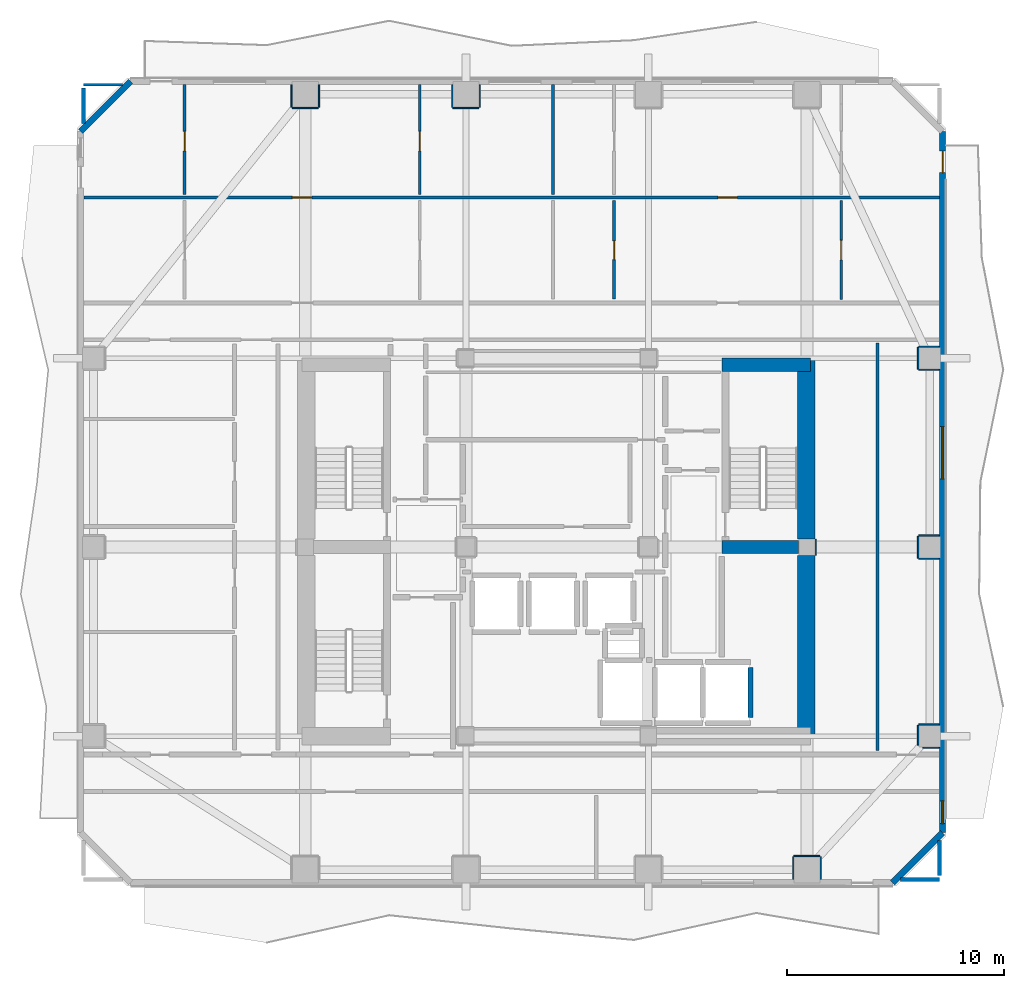
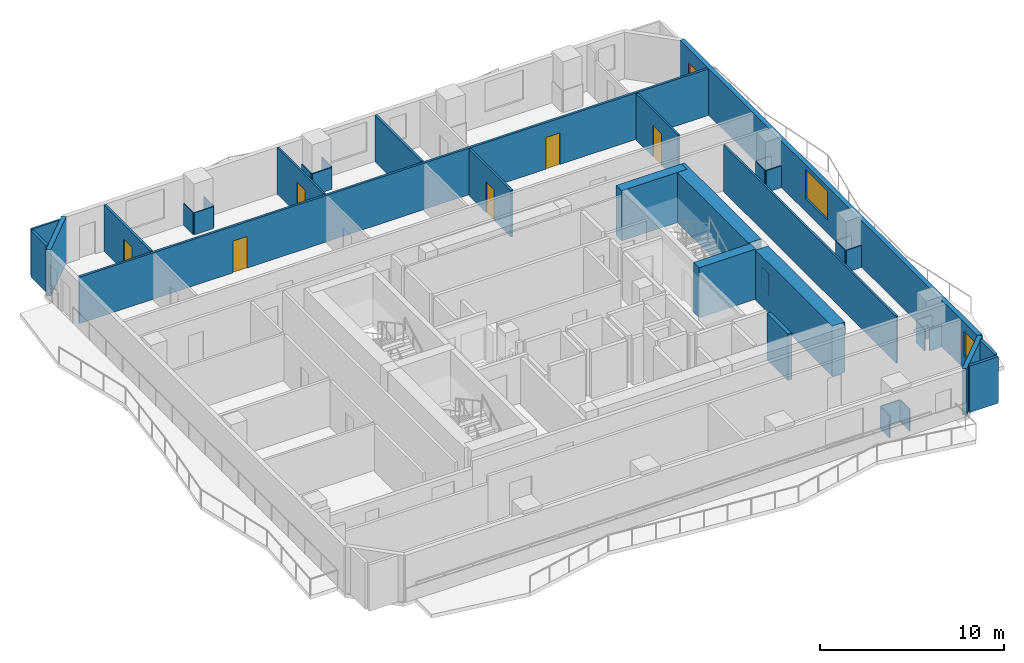
# One storey, part 5 of 10: 38 walls, 7 doors, 2 windows, 9 openings.
"""IFC4 building model written with IfcOpenShell, lengths in metres."""

from ifc_helpers import new_model, si_unit, direction, frame, frame_2d, origin, place, context, subcontext, project, spatial, rectangle, extrude, material, layer, layer_set, type_object, element, fill, save


model = new_model("IFC4")

# Units and contexts
model_context = context("Model", 3, precision=1e-05, world=origin(), true_north=direction((0.0, 1.0)))
body_context = subcontext(model_context, "Body", "Model", "MODEL_VIEW")
ifc_project = project(units=[si_unit("LENGTHUNIT", "METRE"), si_unit("AREAUNIT", "SQUARE_METRE"), si_unit("VOLUMEUNIT", "CUBIC_METRE"), si_unit("PLANEANGLEUNIT", "RADIAN"), si_unit("MASSUNIT", "GRAM", prefix="KILO")], contexts=[model_context])

# Site, building, storey
site_placement = place(None, origin())
site = spatial("IfcSite", under=ifc_project, at=site_placement, CompositionType="ELEMENT")
building_placement = place(site_placement, origin())
building = spatial("IfcBuilding", under=site, at=building_placement, Name="Solanera Arch Residences", CompositionType="ELEMENT")
storey_placement = place(building_placement, frame((0.0, 0.0, 176.8798828125)))
storey = spatial("IfcBuildingStorey", under=building, at=storey_placement, Name="L51", CompositionType="ELEMENT", Elevation=176.8798828125)

# Walls
ifc_material_1 = material(Name="Fire-Rated Gypsum Stud Partition", Category="gypsum")
ifc_layer_1 = layer(ifc_material_1, 0.06005859375)
ifc_layer_set_1 = layer_set([ifc_layer_1], Name="Fire-Rated Gypsum Stud Partition")
wall_type_1 = type_object("IfcWallType", Name="Column Acoustic Furring Wall 60", PredefinedType="PARTITIONING", material=ifc_layer_set_1)
wall_1_placement = place(storey_placement, frame((36.906982421875, 30.324951171875, 0.0), z_axis=(0.0, 0.0, 1.0), x_axis=(0.0, 1.0, 0.0)))
element("IfcWall", 1, at=wall_1_placement, inside=storey, type_object=wall_type_1, Name="L51 Column Furring 6E", PredefinedType="PARTITIONING", context=body_context, shape_type="SweptSolid", body=[
    extrude(rectangle(XDim=0.75, YDim=0.06005859375, at=frame_2d((0.375, 0.0))), origin(), (0.0, 0.0, 1.0), 1.4501953125),
])
wall_2_placement = place(storey_placement, frame((12.800048828125, 50.91796875, 0.0), z_axis=(0.0, 0.0, 1.0), x_axis=(1.0, 0.0, 0.0)))
element("IfcWall", 2, at=wall_2_placement, inside=storey, type_object=wall_type_1, Name="L51 Column Furring 10S", PredefinedType="PARTITIONING", context=body_context, shape_type="SweptSolid", body=[
    extrude(rectangle(XDim=1.199951171875, YDim=0.06005859375, at=frame_2d((0.60009765625, 0.0))), origin(), (0.0, 0.0, 1.0), 1.4501953125),
])
for number, where, z_axis, x_axis, name in (
    (3, (12.76806640625, 50.949951171875, 0.0), (0.0, 0.0, 1.0), (0.0, 1.0, 0.0), "L51 Column Furring 10W"),
    (4, (14.031982421875, 50.949951171875, 0.0), (0.0, 0.0, 1.0), (0.0, 1.0, 0.0), "L51 Column Furring 10E"),
):
    element("IfcWall", number, at=place(storey_placement, frame(where, z_axis=z_axis, x_axis=x_axis)), inside=storey, type_object=wall_type_1, Name=name, PredefinedType="PARTITIONING", context=body_context, shape_type="SweptSolid", body=[
        extrude(rectangle(XDim=1.0400390625, YDim=0.06005859375, at=frame_2d((0.52001953125, 0.0))), origin(), (0.0, 0.0, 1.0), 1.4501953125),
    ])
wall_3_placement = place(storey_placement, frame((20.199951171875, 50.91796875, 0.0), z_axis=(0.0, 0.0, 1.0), x_axis=(1.0, 0.0, 0.0)))
element("IfcWall", 5, at=wall_3_placement, inside=storey, type_object=wall_type_1, Name="L51 Column Furring 12S", PredefinedType="PARTITIONING", context=body_context, shape_type="SweptSolid", body=[
    extrude(rectangle(XDim=1.199951171875, YDim=0.06005859375, at=frame_2d((0.60009765625, 0.0))), origin(), (0.0, 0.0, 1.0), 1.4501953125),
])
for number, where, z_axis, x_axis, name in (
    (6, (20.16796875, 50.949951171875, 0.0), (0.0, 0.0, 1.0), (0.0, 1.0, 0.0), "L51 Column Furring 12W"),
    (7, (21.431884765625, 50.949951171875, 0.0), (0.0, 0.0, 1.0), (0.0, 1.0, 0.0), "L51 Column Furring 12E"),
):
    element("IfcWall", number, at=place(storey_placement, frame(where, z_axis=z_axis, x_axis=x_axis)), inside=storey, type_object=wall_type_1, Name=name, PredefinedType="PARTITIONING", context=body_context, shape_type="SweptSolid", body=[
        extrude(rectangle(XDim=1.0400390625, YDim=0.06005859375, at=frame_2d((0.52001953125, 0.0))), origin(), (0.0, 0.0, 1.0), 1.4501953125),
    ])
wall_4_placement = place(storey_placement, frame((35.89990234375, 16.48193359375, 0.0), z_axis=(0.0, 0.0, 1.0), x_axis=(1.0, 0.0, 0.0)))
element("IfcWall", 8, at=wall_4_placement, inside=storey, type_object=wall_type_1, Name="L51 Column Furring 15N", PredefinedType="PARTITIONING", context=body_context, shape_type="SweptSolid", body=[
    extrude(rectangle(XDim=1.2001953125, YDim=0.06005859375, at=frame_2d((0.60009765625, 0.0))), origin(), (0.0, 0.0, 1.0), 1.4501953125),
])
for number, where, z_axis, x_axis, name in (
    (9, (35.867919921875, 15.409912109375, 0.0), (0.0, 0.0, 1.0), (0.0, 1.0, 0.0), "L51 Column Furring 15W"),
    (10, (37.132080078125, 15.409912109375, 0.0), (0.0, 0.0, 1.0), (0.0, 1.0, 0.0), "L51 Column Furring 15E"),
):
    element("IfcWall", number, at=place(storey_placement, frame(where, z_axis=z_axis, x_axis=x_axis)), inside=storey, type_object=wall_type_1, Name=name, PredefinedType="PARTITIONING", context=body_context, shape_type="SweptSolid", body=[
        extrude(rectangle(XDim=1.0400390625, YDim=0.06005859375, at=frame_2d((0.52001953125, 0.0))), origin(), (0.0, 0.0, 1.0), 1.4501953125),
    ])
wall_5_placement = place(storey_placement, frame((41.839111328125, 21.468017578125, 0.0), z_axis=(0.0, 0.0, 1.0), x_axis=(1.0, 0.0, 0.0)))
element("IfcWall", 11, at=wall_5_placement, inside=storey, type_object=wall_type_1, Name="L51 Column Furring 18S", PredefinedType="PARTITIONING", context=body_context, shape_type="SweptSolid", body=[
    extrude(rectangle(XDim=0.7509765625, YDim=0.06005859375, at=frame_2d((0.37548828125, 0.0))), origin(), (0.0, 0.0, 1.0), 1.4501953125),
])
wall_6_placement = place(storey_placement, frame((41.64990234375, 22.531982421875, 0.0), z_axis=(0.0, 0.0, 1.0), x_axis=(1.0, 0.0, 0.0)))
element("IfcWall", 12, at=wall_6_placement, inside=storey, type_object=wall_type_1, Name="L51 Column Furring 18N", PredefinedType="PARTITIONING", context=body_context, shape_type="SweptSolid", body=[
    extrude(rectangle(XDim=0.940185546875, YDim=0.06005859375, at=frame_2d((0.47021484375, 0.0))), origin(), (0.0, 0.0, 1.0), 1.4501953125),
])
wall_7_placement = place(storey_placement, frame((41.617919921875, 21.589111328125, 0.0), z_axis=(0.0, 0.0, 1.0), x_axis=(0.0, 1.0, 0.0)))
element("IfcWall", 13, at=wall_7_placement, inside=storey, type_object=wall_type_1, Name="L51 Column Furring 18W", PredefinedType="PARTITIONING", context=body_context, shape_type="SweptSolid", body=[
    extrude(rectangle(XDim=0.910888671875, YDim=0.06005859375, at=frame_2d((0.45556640625, 0.0))), origin(), (0.0, 0.0, 1.0), 1.4501953125),
])
for number, where, z_axis, x_axis, name in (
    (14, (41.64990234375, 30.16796875, 0.0), (0.0, 0.0, 1.0), (1.0, 0.0, 0.0), "L51 Column Furring 20S"),
    (15, (41.64990234375, 31.23193359375, 0.0), (0.0, 0.0, 1.0), (1.0, 0.0, 0.0), "L51 Column Furring 20N"),
):
    element("IfcWall", number, at=place(storey_placement, frame(where, z_axis=z_axis, x_axis=x_axis)), inside=storey, type_object=wall_type_1, Name=name, PredefinedType="PARTITIONING", context=body_context, shape_type="SweptSolid", body=[
        extrude(rectangle(XDim=0.940185546875, YDim=0.06005859375, at=frame_2d((0.47021484375, 0.0))), origin(), (0.0, 0.0, 1.0), 1.4501953125),
    ])
wall_8_placement = place(storey_placement, frame((41.617919921875, 30.199951171875, 0.0), z_axis=(0.0, 0.0, 1.0), x_axis=(0.0, 1.0, 0.0)))
element("IfcWall", 16, at=wall_8_placement, inside=storey, type_object=wall_type_1, Name="L51 Column Furring 20W", PredefinedType="PARTITIONING", context=body_context, shape_type="SweptSolid", body=[
    extrude(rectangle(XDim=1.0, YDim=0.06005859375, at=frame_2d((0.5, 0.0))), origin(), (0.0, 0.0, 1.0), 1.4501953125),
])
for number, where, z_axis, x_axis, name in (
    (17, (41.64990234375, 38.867919921875, 0.0), (0.0, 0.0, 1.0), (1.0, 0.0, 0.0), "L51 Column Furring 22S"),
    (18, (41.64990234375, 39.931884765625, 0.0), (0.0, 0.0, 1.0), (1.0, 0.0, 0.0), "L51 Column Furring 22N"),
):
    element("IfcWall", number, at=place(storey_placement, frame(where, z_axis=z_axis, x_axis=x_axis)), inside=storey, type_object=wall_type_1, Name=name, PredefinedType="PARTITIONING", context=body_context, shape_type="SweptSolid", body=[
        extrude(rectangle(XDim=0.940185546875, YDim=0.06005859375, at=frame_2d((0.47021484375, 0.0))), origin(), (0.0, 0.0, 1.0), 1.4501953125),
    ])
wall_9_placement = place(storey_placement, frame((41.617919921875, 38.89990234375, 0.0), z_axis=(0.0, 0.0, 1.0), x_axis=(0.0, 1.0, 0.0)))
element("IfcWall", 19, at=wall_9_placement, inside=storey, type_object=wall_type_1, Name="L51 Column Furring 22W", PredefinedType="PARTITIONING", context=body_context, shape_type="SweptSolid", body=[
    extrude(rectangle(XDim=1.0, YDim=0.06005859375, at=frame_2d((0.5, 0.0))), origin(), (0.0, 0.0, 1.0), 1.4501953125),
])
ifc_material_2 = material(Name="Concrete C40/50 (f'c = 45 MPa)", Category="concrete")
ifc_layer_2 = layer(ifc_material_2, 0.60009765625)
ifc_layer_set_2 = layer_set([ifc_layer_2], Name="Concrete C40/50 (f'c = 45 MPa)")
wall_type_2 = type_object("IfcWallType", Name="Core Shear Wall CW-600", PredefinedType="SHEAR", material=ifc_layer_set_2)
wall_10_placement = place(storey_placement, frame((32.580078125, 39.10009765625, 0.0), z_axis=(0.0, 0.0, 1.0), x_axis=(1.0, 0.0, 0.0)))
element("IfcWall", 20, at=wall_10_placement, inside=storey, type_object=wall_type_2, Name="L51 North-East Core Shear Wall", PredefinedType="SHEAR", context=body_context, shape_type="SweptSolid", body=[
    extrude(rectangle(XDim=4.079833984375, YDim=0.60009765625, at=frame_2d((2.0400390625, 0.0))), origin(), (0.0, 0.0, 1.0), 3.320068359375),
])
wall_11_placement = place(storey_placement, frame((32.580078125, 30.699951171875, 0.0), z_axis=(0.0, 0.0, 1.0), x_axis=(1.0, 0.0, 0.0)))
element("IfcWall", 21, at=wall_11_placement, inside=storey, type_object=wall_type_2, Name="L51 East Stair Far-Landing Shear Wall", PredefinedType="SHEAR", context=body_context, shape_type="SweptSolid", body=[
    extrude(rectangle(XDim=3.5400390625, YDim=0.60009765625, at=frame_2d((1.77001953125, 0.0))), origin(), (0.0, 0.0, 1.0), 3.320068359375),
])
ifc_material_3 = material(Name="Concrete C40/50 (f'c = 45 MPa)", Category="concrete")
ifc_layer_3 = layer(ifc_material_3, 0.800048828125)
ifc_layer_set_3 = layer_set([ifc_layer_3], Name="Concrete C40/50 (f'c = 45 MPa)")
wall_type_3 = type_object("IfcWallType", Name="Core Shear Wall CW-800", PredefinedType="SHEAR", material=ifc_layer_set_3)
wall_12_placement = place(storey_placement, frame((36.4599609375, 22.0, 0.0), z_axis=(0.0, 0.0, 1.0), x_axis=(0.0, 1.0, 0.0)))
element("IfcWall", 22, at=wall_12_placement, inside=storey, type_object=wall_type_3, Name="L51 East Core South Shear Wall", PredefinedType="SHEAR", context=body_context, shape_type="SweptSolid", body=[
    extrude(rectangle(XDim=8.320068359375, YDim=0.800048828125, at=frame_2d((4.16015625, 0.0))), origin(), (0.0, 0.0, 1.0), 3.320068359375),
])
wall_13_placement = place(storey_placement, frame((36.4599609375, 31.080078125, 0.0), z_axis=(0.0, 0.0, 1.0), x_axis=(0.0, 1.0, 0.0)))
element("IfcWall", 23, at=wall_13_placement, inside=storey, type_object=wall_type_3, Name="L51 East Core North Shear Wall", PredefinedType="SHEAR", context=body_context, shape_type="SweptSolid", body=[
    extrude(rectangle(XDim=8.31982421875, YDim=0.800048828125, at=frame_2d((4.159912109375, 0.0))), origin(), (0.0, 0.0, 1.0), 3.320068359375),
])
ifc_material_4 = material(Name="Autoclaved Aerated Concrete Blockwork", Category="masonry")
ifc_layer_4 = layer(ifc_material_4, 0.179931640625)
ifc_layer_set_4 = layer_set([ifc_layer_4], Name="Autoclaved Aerated Concrete Blockwork")
wall_type_4 = type_object("IfcWallType", Name="Corridor Fire Partition 180", PredefinedType="PARTITIONING", material=ifc_layer_set_4)
wall_14_placement = place(storey_placement, frame((40.804931640625, 15.39990234375, 0.0), z_axis=(0.0, 0.0, 1.0), x_axis=(1.0, 0.0, 0.0)))
element("IfcWall", 24, at=wall_14_placement, inside=storey, type_object=wall_type_4, Name="L51 Interior Partition H7 2", PredefinedType="PARTITIONING", context=body_context, shape_type="SweptSolid", body=[
    extrude(rectangle(XDim=1.795166015625, YDim=0.179931640625, at=frame_2d((0.8974609375, 0.0))), origin(), (0.0, 0.0, 1.0), 3.080078125),
])
wall_15_placement = place(storey_placement, frame((3.199951171875, 50.205078125, 0.0), z_axis=(0.0, 0.0, 1.0), x_axis=(0.0, 1.0, 0.0)))
element("IfcWall", 25, at=wall_15_placement, inside=storey, type_object=wall_type_4, Name="L51 Interior Partition V7 2", PredefinedType="PARTITIONING", context=body_context, shape_type="SweptSolid", body=[
    extrude(rectangle(XDim=1.636962890625, YDim=0.179931640625, at=frame_2d((0.818359375, 0.0))), origin(), (0.0, 0.0, 1.0), 3.080078125),
])
wall_16_placement = place(storey_placement, frame((42.60009765625, 15.587890625, 0.0), z_axis=(0.0, 0.0, 1.0), x_axis=(0.0, 1.0, 0.0)))
element("IfcWall", 26, at=wall_16_placement, inside=storey, type_object=wall_type_4, Name="L51 Interior Partition V12 1", PredefinedType="PARTITIONING", context=body_context, shape_type="SweptSolid", body=[
    extrude(rectangle(XDim=1.607177734375, YDim=0.179931640625, at=frame_2d((0.8037109375, 0.0))), origin(), (0.0, 0.0, 1.0), 3.080078125),
])
ifc_material_5 = material(Name="Precast Concrete C35/45", Category="concrete")
ifc_layer_5 = layer(ifc_material_5, 0.280029296875)
ifc_layer_set_5 = layer_set([ifc_layer_5], Name="Precast Concrete C35/45")
wall_type_5 = type_object("IfcWallType", Name="Exterior Wall Precast Masonry-Frame 280", PredefinedType="STANDARD", material=ifc_layer_set_5)
wall_17_placement = place(storey_placement, frame((3.054931640625, 49.844970703125, 0.0), z_axis=(0.0, 0.0, 1.0), x_axis=(0.707106781187, 0.707106781187, 0.0)))
element("IfcWall", 27, at=wall_17_placement, inside=storey, type_object=wall_type_5, Name="L51 Tower Exterior Precast Masonry-Frame Wall CH1", PredefinedType="STANDARD", context=body_context, shape_type="SweptSolid", body=[
    extrude(rectangle(XDim=3.252685546875, YDim=0.280029296875, at=frame_2d((1.62646484375, 0.0))), origin(), (0.0, 0.0, 1.0), 3.080078125),
])

# Wall, openings, door, windows
wall_18_placement = place(storey_placement, frame((42.7451171875, 49.844970703125, 0.0), z_axis=(0.0, 0.0, 1.0), x_axis=(0.0, -1.0, 0.0)))
wall_18 = element("IfcWall", 28, at=wall_18_placement, inside=storey, type_object=wall_type_5, Name="L51 Tower Exterior Precast Masonry-Frame Wall E", PredefinedType="STANDARD", context=body_context, shape_type="SweptSolid", body=[
    extrude(rectangle(XDim=32.2900390625, YDim=0.280029296875, at=frame_2d((16.14501953125, 0.0))), origin(), (0.0, 0.0, 1.0), 3.080078125),
])
opening_1_placement = place(wall_18_placement, frame((0.904052734375, 0.0, 0.0)))
opening_1 = element("IfcOpeningElement", 29, at=opening_1_placement, cuts=wall_18, Name="Opening DB-01", PredefinedType="OPENING", context=body_context, shape_type="SweptSolid", body=[
    extrude(rectangle(XDim=1.0, YDim=2.14990234375, at=frame_2d((0.5, 1.074951171875))), frame((0.0, 0.14990234375, 0.0), z_axis=(0.0, -1.0, 0.0), x_axis=(1.0, 0.0, 0.0)), (0.0, 0.0, 1.0), 0.3),
])
opening_2_placement = place(wall_18_placement, frame((30.822021484375, 0.0, 0.85009765625)))
opening_2 = element("IfcOpeningElement", 30, at=opening_2_placement, cuts=wall_18, Name="Opening W-07", PredefinedType="OPENING", context=body_context, shape_type="SweptSolid", body=[
    extrude(rectangle(XDim=1.050048828125, YDim=1.64990234375, at=frame_2d((0.52490234375, 0.824951171875))), frame((0.0, 0.14990234375, 0.0), z_axis=(0.0, -1.0, 0.0), x_axis=(1.0, 0.0, 0.0)), (0.0, 0.0, 1.0), 0.3),
])
opening_3_placement = place(wall_18_placement, frame((13.594970703125, 0.0, 0.85009765625)))
opening_3 = element("IfcOpeningElement", 31, at=opening_3_placement, cuts=wall_18, Name="Opening W-05", PredefinedType="OPENING", context=body_context, shape_type="SweptSolid", body=[
    extrude(rectangle(XDim=2.39990234375, YDim=1.949951171875, at=frame_2d((1.199951171875, 0.97509765625))), frame((0.0, 0.14990234375, 0.0), z_axis=(0.0, -1.0, 0.0), x_axis=(1.0, 0.0, 0.0)), (0.0, 0.0, 1.0), 0.3),
])
ifc_material_6 = material(Name="Anodised Aluminium Alloy 6063-T6", Category="aluminium")
door_type_1 = type_object("IfcDoorType", Name="Glazed Balcony Swing Door DB-01", OperationType="NOTDEFINED", PredefinedType="DOOR", material=ifc_material_6)
door_1_placement = place(opening_1_placement, origin())
door_1 = element("IfcDoor", 32, at=door_1_placement, inside=storey, type_object=door_type_1, Name="DR-L51-OUT-03", OperationType="SINGLE_SWING_LEFT", OverallHeight=2.14990234375, OverallWidth=1.0, PredefinedType="DOOR", context=body_context, shape_type="SweptSolid", body=[
    extrude(rectangle(XDim=1.0, YDim=2.14990234375, at=frame_2d((0.5, 1.074951171875))), frame((0.0, 0.02490234375, 0.0), z_axis=(0.0, -1.0, 0.0), x_axis=(1.0, 0.0, 0.0)), (0.0, 0.0, 1.0), 0.050048828125),
])
fill(opening_1, door_1)
ifc_material_7 = material(Name="Double Glazed Low-E Laminated Glass", Category="glass")
window_type_1 = type_object("IfcWindowType", Name="Punched Window W-05", PartitioningType="TRIPLE_PANEL_VERTICAL", PredefinedType="WINDOW", material=ifc_material_7)
window_1_placement = place(opening_3_placement, origin())
window_1 = element("IfcWindow", 33, at=window_1_placement, inside=storey, type_object=window_type_1, Name="L51 SKY-VIP Punched Window", OverallHeight=1.949951171875, OverallWidth=2.39990234375, PartitioningType="SINGLE_PANEL", PredefinedType="WINDOW", context=body_context, shape_type="SweptSolid", body=[
    extrude(rectangle(XDim=2.39990234375, YDim=1.949951171875, at=frame_2d((1.199951171875, 0.97509765625))), frame((0.0, 0.030029296875, 0.0), z_axis=(0.0, -1.0, 0.0), x_axis=(1.0, 0.0, 0.0)), (0.0, 0.0, 1.0), 0.06005859375),
])
fill(opening_3, window_1)
ifc_material_8 = material(Name="Double Glazed Low-E Laminated Glass", Category="glass")
window_type_2 = type_object("IfcWindowType", Name="Punched Window W-07", PartitioningType="SINGLE_PANEL", PredefinedType="WINDOW", material=ifc_material_8)
window_2_placement = place(opening_2_placement, origin())
window_2 = element("IfcWindow", 34, at=window_2_placement, inside=storey, type_object=window_type_2, Name="L51 SKYCOW Punched Window", OverallHeight=1.64990234375, OverallWidth=1.050048828125, PartitioningType="SINGLE_PANEL", PredefinedType="WINDOW", context=body_context, shape_type="SweptSolid", body=[
    extrude(rectangle(XDim=1.050048828125, YDim=1.64990234375, at=frame_2d((0.52490234375, 0.824951171875))), frame((0.0, 0.030029296875, 0.0), z_axis=(0.0, -1.0, 0.0), x_axis=(1.0, 0.0, 0.0)), (0.0, 0.0, 1.0), 0.06005859375),
])
fill(opening_2, window_2)

# Walls
wall_19_placement = place(storey_placement, frame((42.7451171875, 17.554931640625, 0.0), z_axis=(0.0, 0.0, 1.0), x_axis=(-0.707106781187, -0.707106781187, 0.0)))
element("IfcWall", 35, at=wall_19_placement, inside=storey, type_object=wall_type_5, Name="L51 Tower Exterior Precast Masonry-Frame Wall CH5", PredefinedType="STANDARD", context=body_context, shape_type="SweptSolid", body=[
    extrude(rectangle(XDim=3.252685546875, YDim=0.280029296875, at=frame_2d((1.62646484375, 0.0))), origin(), (0.0, 0.0, 1.0), 3.080078125),
])
ifc_material_9 = material(Name="Autoclaved Aerated Concrete Blockwork", Category="masonry")
ifc_layer_6 = layer(ifc_material_9, 0.239990234375)
ifc_layer_set_6 = layer_set([ifc_layer_6], Name="Autoclaved Aerated Concrete Blockwork")
wall_type_6 = type_object("IfcWallType", Name="Shaft Wall Fire-Rated 240", PredefinedType="PARTITIONING", material=ifc_layer_set_6)
wall_20_placement = place(storey_placement, frame((33.89990234375, 22.847900390625, 0.0), z_axis=(0.0, 0.0, 1.0), x_axis=(0.0, 1.0, 0.0)))
element("IfcWall", 36, at=wall_20_placement, inside=storey, type_object=wall_type_6, Name="L51 Lift FFL-2 Hoistway Wall E", PredefinedType="PARTITIONING", context=body_context, shape_type="SweptSolid", body=[
    extrude(rectangle(XDim=2.30419921875, YDim=0.239990234375, at=frame_2d((1.152099609375, 0.0))), origin(), (0.0, 0.0, 1.0), 3.080078125),
])
ifc_material_10 = material(Name="Fire-Rated Gypsum Stud Partition", Category="gypsum")
ifc_layer_7 = layer(ifc_material_10, 0.1201171875)
ifc_layer_set_7 = layer_set([ifc_layer_7], Name="Fire-Rated Gypsum Stud Partition")
wall_type_7 = type_object("IfcWallType", Name="Unit Drywall Partition 120", PredefinedType="PARTITIONING", material=ifc_layer_set_7)
wall_21_placement = place(storey_placement, frame((3.199951171875, 52.0, 0.0), z_axis=(0.0, 0.0, 1.0), x_axis=(1.0, 0.0, 0.0)))
element("IfcWall", 37, at=wall_21_placement, inside=storey, type_object=wall_type_7, Name="L51 Interior Partition H19 1", PredefinedType="PARTITIONING", context=body_context, shape_type="SweptSolid", body=[
    extrude(rectangle(XDim=1.795166015625, YDim=0.1201171875, at=frame_2d((0.8974609375, 0.0))), origin(), (0.0, 0.0, 1.0), 3.080078125),
])

# Wall, opening, door
wall_22_placement = place(storey_placement, frame((18.669921875, 46.93798828125, 0.0), z_axis=(0.0, 0.0, 1.0), x_axis=(0.0, 1.0, 0.0)))
wall_22 = element("IfcWall", 38, at=wall_22_placement, inside=storey, type_object=wall_type_7, Name="L51 Interior Partition V16 2", PredefinedType="PARTITIONING", context=body_context, shape_type="SweptSolid", body=[
    extrude(rectangle(XDim=5.054931640625, YDim=0.1201171875, at=frame_2d((2.52734375, 0.0))), origin(), (0.0, 0.0, 1.0), 3.080078125),
])
opening_4_placement = place(wall_22_placement, frame((2.011962890625, 0.0, 0.0)))
opening_4 = element("IfcOpeningElement", 39, at=opening_4_placement, cuts=wall_22, Name="Opening DI-03", PredefinedType="OPENING", context=body_context, shape_type="SweptSolid", body=[
    extrude(rectangle(XDim=0.89990234375, YDim=2.10009765625, at=frame_2d((0.449951171875, 1.050048828125))), frame((0.0, 0.070068359375, 0.0), z_axis=(0.0, -1.0, 0.0), x_axis=(1.0, 0.0, 0.0)), (0.0, 0.0, 1.0), 0.1401),
])
ifc_material_11 = material(Name="Fire-Rated Architectural Hardwood", Category="wood")
door_type_2 = type_object("IfcDoorType", Name="Bedroom Swing Door DI-03", OperationType="NOTDEFINED", PredefinedType="DOOR", material=ifc_material_11)
door_2_placement = place(opening_4_placement, origin())
door_2 = element("IfcDoor", 40, at=door_2_placement, inside=storey, type_object=door_type_2, Name="DR-L51-IN-028", OperationType="SINGLE_SWING_RIGHT", OverallHeight=2.10009765625, OverallWidth=0.89990234375, PredefinedType="DOOR", context=body_context, shape_type="SweptSolid", body=[
    extrude(rectangle(XDim=0.89990234375, YDim=2.10009765625, at=frame_2d((0.449951171875, 1.050048828125))), frame((0.0, 0.02490234375, 0.0), z_axis=(0.0, -1.0, 0.0), x_axis=(1.0, 0.0, 0.0)), (0.0, 0.0, 1.0), 0.050048828125),
])
fill(opening_4, door_2)

wall_23_placement = place(storey_placement, frame((38.080078125, 42.10791015625, 0.0), z_axis=(0.0, 0.0, 1.0), x_axis=(0.0, 1.0, 0.0)))
wall_23 = element("IfcWall", 41, at=wall_23_placement, inside=storey, type_object=wall_type_7, Name="L51 Interior Partition V17 1", PredefinedType="PARTITIONING", context=body_context, shape_type="SweptSolid", body=[
    extrude(rectangle(XDim=4.55419921875, YDim=0.1201171875, at=frame_2d((2.277099609375, 0.0))), origin(), (0.0, 0.0, 1.0), 3.080078125),
])
opening_5_placement = place(wall_23_placement, frame((1.81689453125, 0.0, 0.0)))
opening_5 = element("IfcOpeningElement", 42, at=opening_5_placement, cuts=wall_23, Name="Opening DI-02", PredefinedType="OPENING", context=body_context, shape_type="SweptSolid", body=[
    extrude(rectangle(XDim=0.89990234375, YDim=2.10009765625, at=frame_2d((0.449951171875, 1.050048828125))), frame((0.0, 0.070068359375, 0.0), z_axis=(0.0, -1.0, 0.0), x_axis=(1.0, 0.0, 0.0)), (0.0, 0.0, 1.0), 0.1401),
])
ifc_material_12 = material(Name="Fire-Rated Architectural Hardwood", Category="wood")
door_type_3 = type_object("IfcDoorType", Name="Suite Room Swing Door DI-02", OperationType="NOTDEFINED", PredefinedType="DOOR", material=ifc_material_12)
door_3_placement = place(opening_5_placement, origin())
door_3 = element("IfcDoor", 43, at=door_3_placement, inside=storey, type_object=door_type_3, Name="DR-L51-IN-033", OperationType="SINGLE_SWING_LEFT", OverallHeight=2.10009765625, OverallWidth=0.89990234375, PredefinedType="DOOR", context=body_context, shape_type="SweptSolid", body=[
    extrude(rectangle(XDim=0.89990234375, YDim=2.10009765625, at=frame_2d((0.449951171875, 1.050048828125))), frame((0.0, 0.02490234375, 0.0), z_axis=(0.0, -1.0, 0.0), x_axis=(1.0, 0.0, 0.0)), (0.0, 0.0, 1.0), 0.050048828125),
])
fill(opening_5, door_3)

# Wall
wall_24_placement = place(storey_placement, frame((39.75, 21.337890625, 0.0), z_axis=(0.0, 0.0, 1.0), x_axis=(0.0, 1.0, 0.0)))
element("IfcWall", 44, at=wall_24_placement, inside=storey, type_object=wall_type_7, Name="L51 Interior Partition V18", PredefinedType="PARTITIONING", context=body_context, shape_type="SweptSolid", body=[
    extrude(rectangle(XDim=18.754150390625, YDim=0.1201171875, at=frame_2d((9.376953125, 0.0))), origin(), (0.0, 0.0, 1.0), 3.080078125),
])

# Wall, openings, doors
ifc_material_13 = material(Name="Autoclaved Aerated Concrete Blockwork", Category="masonry")
ifc_layer_8 = layer(ifc_material_13, 0.139892578125)
ifc_layer_set_8 = layer_set([ifc_layer_8], Name="Autoclaved Aerated Concrete Blockwork")
wall_type_8 = type_object("IfcWallType", Name="Wet-Room Partition 140", PredefinedType="PARTITIONING", material=ifc_layer_set_8)
wall_25_placement = place(storey_placement, frame((3.20703125, 46.800048828125, 0.0), z_axis=(0.0, 0.0, 1.0), x_axis=(1.0, 0.0, 0.0)))
wall_25 = element("IfcWall", 45, at=wall_25_placement, inside=storey, type_object=wall_type_8, Name="L51 Interior Partition H17", PredefinedType="PARTITIONING", context=body_context, shape_type="SweptSolid", body=[
    extrude(rectangle(XDim=39.385986328125, YDim=0.139892578125, at=frame_2d((19.69287109375, 0.0))), origin(), (0.0, 0.0, 1.0), 3.080078125),
])
opening_6_placement = place(wall_25_placement, frame((9.60009765625, 0.0, 0.0)))
opening_6 = element("IfcOpeningElement", 46, at=opening_6_placement, cuts=wall_25, Name="Opening DI-02", PredefinedType="OPENING", context=body_context, shape_type="SweptSolid", body=[
    extrude(rectangle(XDim=0.89990234375, YDim=2.10009765625, at=frame_2d((0.449951171875, 1.050048828125))), frame((0.0, 0.079833984375, 0.0), z_axis=(0.0, -1.0, 0.0), x_axis=(1.0, 0.0, 0.0)), (0.0, 0.0, 1.0), 0.1599),
])
opening_7_placement = place(wall_25_placement, frame((29.193115234375, 0.0, 0.0)))
opening_7 = element("IfcOpeningElement", 47, at=opening_7_placement, cuts=wall_25, Name="Opening DI-02", PredefinedType="OPENING", context=body_context, shape_type="SweptSolid", body=[
    extrude(rectangle(XDim=0.89990234375, YDim=2.10009765625, at=frame_2d((0.449951171875, 1.050048828125))), frame((0.0, 0.079833984375, 0.0), z_axis=(0.0, -1.0, 0.0), x_axis=(1.0, 0.0, 0.0)), (0.0, 0.0, 1.0), 0.1599),
])
door_4_placement = place(opening_6_placement, origin())
door_4 = element("IfcDoor", 48, at=door_4_placement, inside=storey, type_object=door_type_3, Name="DR-L51-IN-024", OperationType="SINGLE_SWING_RIGHT", OverallHeight=2.10009765625, OverallWidth=0.89990234375, PredefinedType="DOOR", context=body_context, shape_type="SweptSolid", body=[
    extrude(rectangle(XDim=0.89990234375, YDim=2.10009765625, at=frame_2d((0.449951171875, 1.050048828125))), frame((0.0, 0.02490234375, 0.0), z_axis=(0.0, -1.0, 0.0), x_axis=(1.0, 0.0, 0.0)), (0.0, 0.0, 1.0), 0.050048828125),
])
fill(opening_6, door_4)
door_5_placement = place(opening_7_placement, origin())
door_5 = element("IfcDoor", 49, at=door_5_placement, inside=storey, type_object=door_type_3, Name="DR-L51-IN-030", OperationType="SINGLE_SWING_RIGHT", OverallHeight=2.10009765625, OverallWidth=0.89990234375, PredefinedType="DOOR", context=body_context, shape_type="SweptSolid", body=[
    extrude(rectangle(XDim=0.89990234375, YDim=2.10009765625, at=frame_2d((0.449951171875, 1.050048828125))), frame((0.0, 0.02490234375, 0.0), z_axis=(0.0, -1.0, 0.0), x_axis=(1.0, 0.0, 0.0)), (0.0, 0.0, 1.0), 0.050048828125),
])
fill(opening_7, door_5)

# Wall, opening, door
wall_26_placement = place(storey_placement, frame((7.843994140625, 46.947998046875, 0.0), z_axis=(0.0, 0.0, 1.0), x_axis=(0.0, 1.0, 0.0)))
wall_26 = element("IfcWall", 50, at=wall_26_placement, inside=storey, type_object=wall_type_8, Name="L51 Interior Partition V13 2", PredefinedType="PARTITIONING", context=body_context, shape_type="SweptSolid", body=[
    extrude(rectangle(XDim=5.044921875, YDim=0.139892578125, at=frame_2d((2.5224609375, 0.0))), origin(), (0.0, 0.0, 1.0), 3.080078125),
])
opening_8_placement = place(wall_26_placement, frame((2.001953125, 0.0, 0.0)))
opening_8 = element("IfcOpeningElement", 51, at=opening_8_placement, cuts=wall_26, Name="Opening DI-03", PredefinedType="OPENING", context=body_context, shape_type="SweptSolid", body=[
    extrude(rectangle(XDim=0.89990234375, YDim=2.10009765625, at=frame_2d((0.449951171875, 1.050048828125))), frame((0.0, 0.079833984375, 0.0), z_axis=(0.0, -1.0, 0.0), x_axis=(1.0, 0.0, 0.0)), (0.0, 0.0, 1.0), 0.1599),
])
door_6_placement = place(opening_8_placement, origin())
door_6 = element("IfcDoor", 52, at=door_6_placement, inside=storey, type_object=door_type_2, Name="DR-L51-IN-026", OperationType="SINGLE_SWING_RIGHT", OverallHeight=2.10009765625, OverallWidth=0.89990234375, PredefinedType="DOOR", context=body_context, shape_type="SweptSolid", body=[
    extrude(rectangle(XDim=0.89990234375, YDim=2.10009765625, at=frame_2d((0.449951171875, 1.050048828125))), frame((0.0, 0.02490234375, 0.0), z_axis=(0.0, -1.0, 0.0), x_axis=(1.0, 0.0, 0.0)), (0.0, 0.0, 1.0), 0.050048828125),
])
fill(opening_8, door_6)

# Wall
wall_27_placement = place(storey_placement, frame((24.800048828125, 46.947998046875, 0.0), z_axis=(0.0, 0.0, 1.0), x_axis=(0.0, 1.0, 0.0)))
element("IfcWall", 53, at=wall_27_placement, inside=storey, type_object=wall_type_8, Name="L51 Interior Partition V14 2", PredefinedType="PARTITIONING", context=body_context, shape_type="SweptSolid", body=[
    extrude(rectangle(XDim=5.044921875, YDim=0.139892578125, at=frame_2d((2.5224609375, 0.0))), origin(), (0.0, 0.0, 1.0), 3.080078125),
])

# Wall, opening, door
wall_28_placement = place(storey_placement, frame((27.6201171875, 42.117919921875, 0.0), z_axis=(0.0, 0.0, 1.0), x_axis=(0.0, 1.0, 0.0)))
wall_28 = element("IfcWall", 54, at=wall_28_placement, inside=storey, type_object=wall_type_8, Name="L51 Interior Partition V15 1", PredefinedType="PARTITIONING", context=body_context, shape_type="SweptSolid", body=[
    extrude(rectangle(XDim=4.5341796875, YDim=0.139892578125, at=frame_2d((2.26708984375, 0.0))), origin(), (0.0, 0.0, 1.0), 3.080078125),
])
opening_9_placement = place(wall_28_placement, frame((1.826904296875, 0.0, 0.0)))
opening_9 = element("IfcOpeningElement", 55, at=opening_9_placement, cuts=wall_28, Name="Opening DI-05", PredefinedType="OPENING", context=body_context, shape_type="SweptSolid", body=[
    extrude(rectangle(XDim=0.860107421875, YDim=2.02001953125, at=frame_2d((0.43017578125, 1.010009765625))), frame((0.0, 0.079833984375, 0.0), z_axis=(0.0, -1.0, 0.0), x_axis=(1.0, 0.0, 0.0)), (0.0, 0.0, 1.0), 0.1599),
])
ifc_material_14 = material(Name="Fire-Rated Architectural Hardwood", Category="wood")
door_type_4 = type_object("IfcDoorType", Name="Bathroom Swing Door DI-05", OperationType="NOTDEFINED", PredefinedType="DOOR", material=ifc_material_14)
door_7_placement = place(opening_9_placement, origin())
door_7 = element("IfcDoor", 56, at=door_7_placement, inside=storey, type_object=door_type_4, Name="DR-L51-IN-031", OperationType="SINGLE_SWING_LEFT", OverallHeight=2.02001953125, OverallWidth=0.860107421875, PredefinedType="DOOR", context=body_context, shape_type="SweptSolid", body=[
    extrude(rectangle(XDim=0.860107421875, YDim=2.02001953125, at=frame_2d((0.43017578125, 1.010009765625))), frame((0.0, 0.02490234375, 0.0), z_axis=(0.0, -1.0, 0.0), x_axis=(1.0, 0.0, 0.0)), (0.0, 0.0, 1.0), 0.050048828125),
])
fill(opening_9, door_7)

save(model, "model.ifc")
